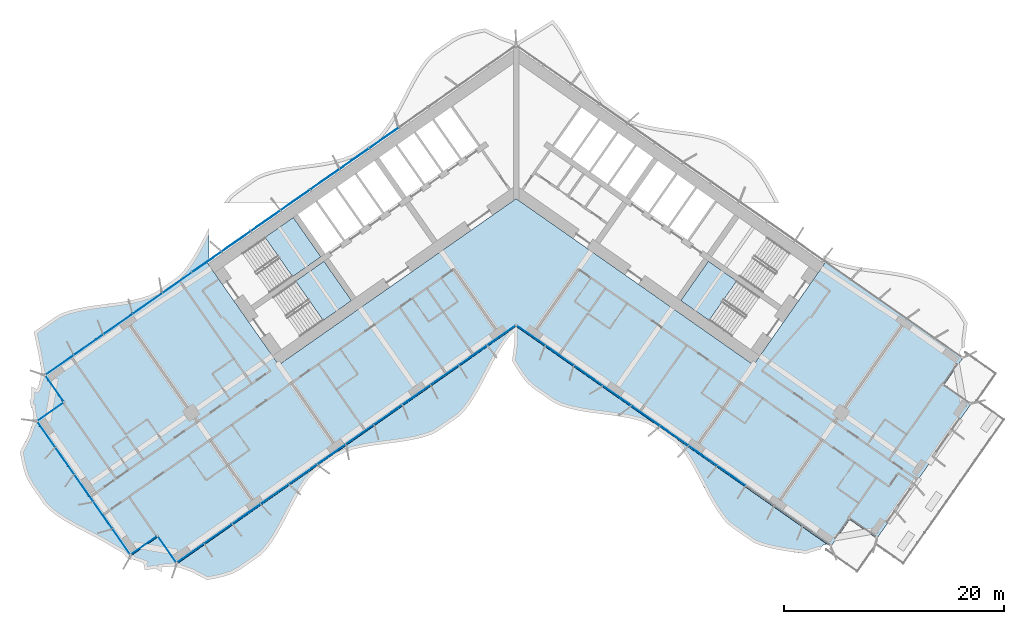
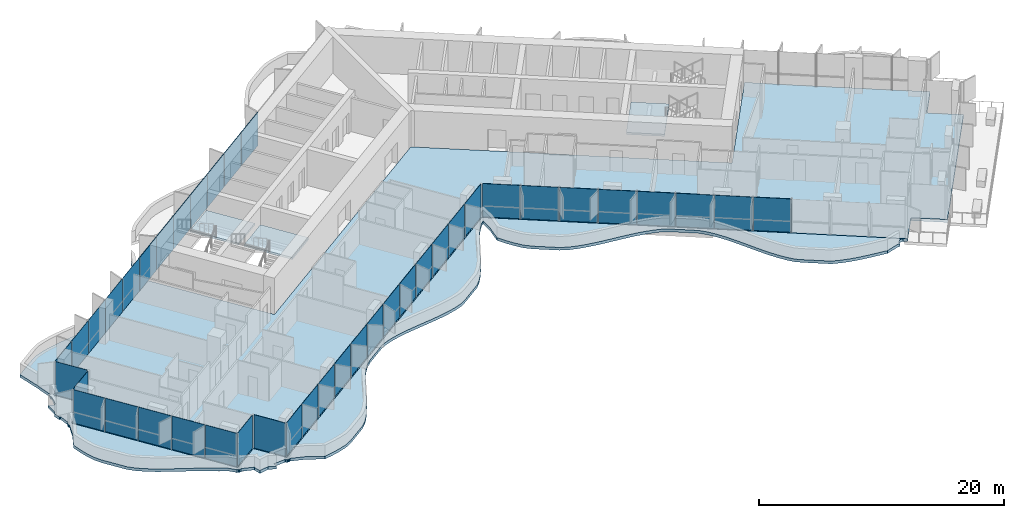
# One storey, part 10 of 25: 41 plates, 5 slabs, 5 elements without a shape of their own.
"""IFC4 building model written with IfcOpenShell, lengths in metres."""

from ifc_helpers import new_model, si_unit, direction, frame, origin, origin_2d, place, context, subcontext, project, spatial, polyline, rectangle, outline, extrude, material, layer, layer_set, type_object, element, aggregate, save


model = new_model("IFC4")

# Units and contexts
model_context = context("Model", 3, precision=1e-05, world=origin(), true_north=direction((0.0, 1.0)))
body_context = subcontext(model_context, "Body", "Model", "MODEL_VIEW")
ifc_project = project(units=[si_unit("LENGTHUNIT", "METRE"), si_unit("AREAUNIT", "SQUARE_METRE"), si_unit("VOLUMEUNIT", "CUBIC_METRE"), si_unit("PLANEANGLEUNIT", "RADIAN"), si_unit("MASSUNIT", "GRAM", prefix="KILO")], contexts=[model_context])

# Site, building, storey
site_placement = place(None, origin())
site = spatial("IfcSite", under=ifc_project, at=site_placement, CompositionType="ELEMENT")
building_placement = place(site_placement, origin())
building = spatial("IfcBuilding", under=site, at=building_placement, Name="Tel Ilan Convention Tower", CompositionType="ELEMENT")
storey_placement = place(building_placement, frame((0.0, 0.0, 76.10009765625)))
storey = spatial("IfcBuildingStorey", under=building, at=storey_placement, Name="L14", CompositionType="ELEMENT", Elevation=76.10009765625)

# Curtain wall, plates
ifc_material_1 = material(Name="Aluminium, bronze anodised", Category="aluminium")
curtain_wall_type_1 = type_object("IfcCurtainWallType", Name="CW1 UNITISED CURTAIN WALL, HOTEL TINTED GLASS", PredefinedType="NOTDEFINED", material=ifc_material_1)
curtain_wall_1_placement = place(storey_placement, origin())
curtain_wall_1 = element("IfcCurtainWall", 1, at=curtain_wall_1_placement, inside=storey, type_object=curtain_wall_type_1, Name="Curtain wall CW1-14.06", PredefinedType="NOTDEFINED")
ifc_material_2 = material(Name="Glass, bronze tinted, two-ply unitised", Category="glass")
ifc_layer_1 = layer(ifc_material_2, 0.028076171875)
ifc_layer_set_1 = layer_set([ifc_layer_1], Name="CW HOTEL GLASS PANEL 28")
plate_type_1 = type_object("IfcPlateType", Name="CW HOTEL GLASS PANEL 28", PredefinedType="CURTAIN_PANEL", material=ifc_layer_set_1)
plate_1_placement = place(storey_placement, frame((-30.765869140625, -8.846435546875, 0.0), z_axis=(0.0, 0.0, 1.0), x_axis=(-0.819152044289, -0.573576436351, 0.0)))
plate_1 = element("IfcPlate", 2, at=plate_1_placement, type_object=plate_type_1, Name="Glass panel", PredefinedType="CURTAIN_PANEL", context=body_context, shape_type="SweptSolid", body=[
    extrude(rectangle(XDim=3.2119140625, YDim=0.028076171875, at=origin_2d()), origin(), (0.0, 0.0, 1.0), 3.320068359375),
])
plate_2_placement = place(storey_placement, frame((-33.446044921875, -10.72314453125, 0.0), z_axis=(0.0, 0.0, 1.0), x_axis=(-0.819152044289, -0.573576436351, 0.0)))
plate_2 = element("IfcPlate", 3, at=plate_2_placement, type_object=plate_type_1, Name="Glass panel", PredefinedType="CURTAIN_PANEL", context=body_context, shape_type="SweptSolid", body=[
    extrude(rectangle(XDim=3.2119140625, YDim=0.028076171875, at=origin_2d()), origin(), (0.0, 0.0, 1.0), 3.320068359375),
])
plate_3_placement = place(storey_placement, frame((-36.12646484375, -12.599853515625, 0.0), z_axis=(0.0, 0.0, 1.0), x_axis=(-0.819152044289, -0.573576436351, 0.0)))
plate_3 = element("IfcPlate", 4, at=plate_3_placement, type_object=plate_type_1, Name="Glass panel", PredefinedType="CURTAIN_PANEL", context=body_context, shape_type="SweptSolid", body=[
    extrude(rectangle(XDim=3.2119140625, YDim=0.028076171875, at=origin_2d()), origin(), (0.0, 0.0, 1.0), 3.320068359375),
])
plate_4_placement = place(storey_placement, frame((-38.806640625, -14.4765625, 0.0), z_axis=(0.0, 0.0, 1.0), x_axis=(-0.819152044289, -0.573576436351, 0.0)))
plate_4 = element("IfcPlate", 5, at=plate_4_placement, type_object=plate_type_1, Name="Glass panel", PredefinedType="CURTAIN_PANEL", context=body_context, shape_type="SweptSolid", body=[
    extrude(rectangle(XDim=3.2119140625, YDim=0.028076171875, at=origin_2d()), origin(), (0.0, 0.0, 1.0), 3.320068359375),
])
plate_5_placement = place(storey_placement, frame((-41.448486328125, -16.326416015625, 0.0), z_axis=(0.0, 0.0, 1.0), x_axis=(-0.819152044289, -0.573576436351, 0.0)))
plate_5 = element("IfcPlate", 6, at=plate_5_placement, type_object=plate_type_1, Name="Glass panel", PredefinedType="CURTAIN_PANEL", context=body_context, shape_type="SweptSolid", body=[
    extrude(rectangle(XDim=3.117919921875, YDim=0.028076171875, at=origin_2d()), origin(), (0.0, 0.0, 1.0), 3.320068359375),
])
plate_6_placement = place(storey_placement, frame((-41.90673828125, -18.431640625, 0.0), z_axis=(0.0, 0.0, 1.0), x_axis=(0.573576436351, -0.819152044289, 0.0)))
plate_6 = element("IfcPlate", 7, at=plate_6_placement, type_object=plate_type_1, Name="Glass panel", PredefinedType="CURTAIN_PANEL", context=body_context, shape_type="SweptSolid", body=[
    extrude(rectangle(XDim=2.875, YDim=0.028076171875, at=origin_2d()), origin(), (0.0, 0.0, 1.0), 3.320068359375),
])
plate_7_placement = place(storey_placement, frame((-42.28466796875, -20.57421875, 0.0), z_axis=(0.0, 0.0, 1.0), x_axis=(-0.819152044289, -0.573576436351, 0.0)))
plate_7 = element("IfcPlate", 8, at=plate_7_placement, type_object=plate_type_1, Name="Glass panel", PredefinedType="CURTAIN_PANEL", context=body_context, shape_type="SweptSolid", body=[
    extrude(rectangle(XDim=2.875, YDim=0.028076171875, at=origin_2d()), origin(), (0.0, 0.0, 1.0), 3.320068359375),
])
plate_8_placement = place(storey_placement, frame((-42.65185546875, -22.597900390625, 0.0), z_axis=(0.0, 0.0, 1.0), x_axis=(0.573576436351, -0.819152044289, 0.0)))
plate_8 = element("IfcPlate", 9, at=plate_8_placement, type_object=plate_type_1, Name="Glass panel", PredefinedType="CURTAIN_PANEL", context=body_context, shape_type="SweptSolid", body=[
    extrude(rectangle(XDim=2.845947265625, YDim=0.028076171875, at=origin_2d()), origin(), (0.0, 0.0, 1.0), 3.320068359375),
])
plate_9_placement = place(storey_placement, frame((-40.9580078125, -25.016845703125, 0.0), z_axis=(0.0, 0.0, 1.0), x_axis=(0.573576436351, -0.819152044289, 0.0)))
plate_9 = element("IfcPlate", 10, at=plate_9_placement, type_object=plate_type_1, Name="Glass panel", PredefinedType="CURTAIN_PANEL", context=body_context, shape_type="SweptSolid", body=[
    extrude(rectangle(XDim=2.93994140625, YDim=0.028076171875, at=origin_2d()), origin(), (0.0, 0.0, 1.0), 3.320068359375),
])
plate_10_placement = place(storey_placement, frame((-39.2373046875, -27.474365234375, 0.0), z_axis=(0.0, 0.0, 1.0), x_axis=(0.573576436351, -0.819152044289, 0.0)))
plate_10 = element("IfcPlate", 11, at=plate_10_placement, type_object=plate_type_1, Name="Glass panel", PredefinedType="CURTAIN_PANEL", context=body_context, shape_type="SweptSolid", body=[
    extrude(rectangle(XDim=2.93994140625, YDim=0.028076171875, at=origin_2d()), origin(), (0.0, 0.0, 1.0), 3.320068359375),
])
plate_11_placement = place(storey_placement, frame((-37.5166015625, -29.931884765625, 0.0), z_axis=(0.0, 0.0, 1.0), x_axis=(0.573576436351, -0.819152044289, 0.0)))
plate_11 = element("IfcPlate", 12, at=plate_11_placement, type_object=plate_type_1, Name="Glass panel", PredefinedType="CURTAIN_PANEL", context=body_context, shape_type="SweptSolid", body=[
    extrude(rectangle(XDim=2.93994140625, YDim=0.028076171875, at=origin_2d()), origin(), (0.0, 0.0, 1.0), 3.320068359375),
])
plate_12_placement = place(storey_placement, frame((-35.822998046875, -32.350830078125, 0.0), z_axis=(0.0, 0.0, 1.0), x_axis=(0.573576436351, -0.819152044289, 0.0)))
plate_12 = element("IfcPlate", 13, at=plate_12_placement, type_object=plate_type_1, Name="Glass panel", PredefinedType="CURTAIN_PANEL", context=body_context, shape_type="SweptSolid", body=[
    extrude(rectangle(XDim=2.845947265625, YDim=0.028076171875, at=origin_2d()), origin(), (0.0, 0.0, 1.0), 3.320068359375),
])
plate_13_placement = place(storey_placement, frame((-33.795654296875, -32.69775390625, 0.0), z_axis=(0.0, 0.0, 1.0), x_axis=(0.819152044289, 0.573576436351, 0.0)))
plate_13 = element("IfcPlate", 14, at=plate_13_placement, type_object=plate_type_1, Name="Glass panel", PredefinedType="CURTAIN_PANEL", context=body_context, shape_type="SweptSolid", body=[
    extrude(rectangle(XDim=2.875, YDim=0.028076171875, at=origin_2d()), origin(), (0.0, 0.0, 1.0), 3.320068359375),
])
plate_14_placement = place(storey_placement, frame((-31.653076171875, -33.07568359375, 0.0), z_axis=(0.0, 0.0, 1.0), x_axis=(0.573576436351, -0.819152044289, 0.0)))
plate_14 = element("IfcPlate", 15, at=plate_14_placement, type_object=plate_type_1, Name="Glass panel", PredefinedType="CURTAIN_PANEL", context=body_context, shape_type="SweptSolid", body=[
    extrude(rectangle(XDim=2.875, YDim=0.028076171875, at=origin_2d()), origin(), (0.0, 0.0, 1.0), 3.320068359375),
])
plate_15_placement = place(storey_placement, frame((-29.5732421875, -33.4033203125, 0.0), z_axis=(0.0, 0.0, 1.0), x_axis=(0.819152044289, 0.573576436351, 0.0)))
plate_15 = element("IfcPlate", 16, at=plate_15_placement, type_object=plate_type_1, Name="Glass panel", PredefinedType="CURTAIN_PANEL", context=body_context, shape_type="SweptSolid", body=[
    extrude(rectangle(XDim=2.9833984375, YDim=0.028076171875, at=origin_2d()), origin(), (0.0, 0.0, 1.0), 3.320068359375),
])
plate_16_placement = place(storey_placement, frame((-27.041748046875, -31.630859375, 0.0), z_axis=(0.0, 0.0, 1.0), x_axis=(0.819152044289, 0.573576436351, 0.0)))
plate_16 = element("IfcPlate", 17, at=plate_16_placement, type_object=plate_type_1, Name="Glass panel", PredefinedType="CURTAIN_PANEL", context=body_context, shape_type="SweptSolid", body=[
    extrude(rectangle(XDim=3.077392578125, YDim=0.028076171875, at=origin_2d()), origin(), (0.0, 0.0, 1.0), 3.320068359375),
])
plate_17_placement = place(storey_placement, frame((-24.4716796875, -29.831298828125, 0.0), z_axis=(0.0, 0.0, 1.0), x_axis=(0.819152044289, 0.573576436351, 0.0)))
plate_17 = element("IfcPlate", 18, at=plate_17_placement, type_object=plate_type_1, Name="Glass panel", PredefinedType="CURTAIN_PANEL", context=body_context, shape_type="SweptSolid", body=[
    extrude(rectangle(XDim=3.077392578125, YDim=0.028076171875, at=origin_2d()), origin(), (0.0, 0.0, 1.0), 3.320068359375),
])
plate_18_placement = place(storey_placement, frame((-21.90185546875, -28.031982421875, 0.0), z_axis=(0.0, 0.0, 1.0), x_axis=(0.819152044289, 0.573576436351, 0.0)))
plate_18 = element("IfcPlate", 19, at=plate_18_placement, type_object=plate_type_1, Name="Glass panel", PredefinedType="CURTAIN_PANEL", context=body_context, shape_type="SweptSolid", body=[
    extrude(rectangle(XDim=3.077392578125, YDim=0.028076171875, at=origin_2d()), origin(), (0.0, 0.0, 1.0), 3.320068359375),
])
plate_19_placement = place(storey_placement, frame((-19.33203125, -26.232421875, 0.0), z_axis=(0.0, 0.0, 1.0), x_axis=(0.819152044289, 0.573576436351, 0.0)))
plate_19 = element("IfcPlate", 20, at=plate_19_placement, type_object=plate_type_1, Name="Glass panel", PredefinedType="CURTAIN_PANEL", context=body_context, shape_type="SweptSolid", body=[
    extrude(rectangle(XDim=3.077392578125, YDim=0.028076171875, at=origin_2d()), origin(), (0.0, 0.0, 1.0), 3.320068359375),
])
plate_20_placement = place(storey_placement, frame((-16.761962890625, -24.432861328125, 0.0), z_axis=(0.0, 0.0, 1.0), x_axis=(0.819152044289, 0.573576436351, 0.0)))
plate_20 = element("IfcPlate", 21, at=plate_20_placement, type_object=plate_type_1, Name="Glass panel", PredefinedType="CURTAIN_PANEL", context=body_context, shape_type="SweptSolid", body=[
    extrude(rectangle(XDim=3.077392578125, YDim=0.028076171875, at=origin_2d()), origin(), (0.0, 0.0, 1.0), 3.320068359375),
])
plate_21_placement = place(storey_placement, frame((-14.192138671875, -22.633544921875, 0.0), z_axis=(0.0, 0.0, 1.0), x_axis=(0.819152044289, 0.573576436351, 0.0)))
plate_21 = element("IfcPlate", 22, at=plate_21_placement, type_object=plate_type_1, Name="Glass panel", PredefinedType="CURTAIN_PANEL", context=body_context, shape_type="SweptSolid", body=[
    extrude(rectangle(XDim=3.077392578125, YDim=0.028076171875, at=origin_2d()), origin(), (0.0, 0.0, 1.0), 3.320068359375),
])
plate_22_placement = place(storey_placement, frame((-11.6220703125, -20.833984375, 0.0), z_axis=(0.0, 0.0, 1.0), x_axis=(0.819152044289, 0.573576436351, 0.0)))
plate_22 = element("IfcPlate", 23, at=plate_22_placement, type_object=plate_type_1, Name="Glass panel", PredefinedType="CURTAIN_PANEL", context=body_context, shape_type="SweptSolid", body=[
    extrude(rectangle(XDim=3.077392578125, YDim=0.028076171875, at=origin_2d()), origin(), (0.0, 0.0, 1.0), 3.320068359375),
])
plate_23_placement = place(storey_placement, frame((-9.05224609375, -19.034423828125, 0.0), z_axis=(0.0, 0.0, 1.0), x_axis=(0.819152044289, 0.573576436351, 0.0)))
plate_23 = element("IfcPlate", 24, at=plate_23_placement, type_object=plate_type_1, Name="Glass panel", PredefinedType="CURTAIN_PANEL", context=body_context, shape_type="SweptSolid", body=[
    extrude(rectangle(XDim=3.077392578125, YDim=0.028076171875, at=origin_2d()), origin(), (0.0, 0.0, 1.0), 3.320068359375),
])
plate_24_placement = place(storey_placement, frame((-6.482177734375, -17.23486328125, 0.0), z_axis=(0.0, 0.0, 1.0), x_axis=(0.819152044289, 0.573576436351, 0.0)))
plate_24 = element("IfcPlate", 25, at=plate_24_placement, type_object=plate_type_1, Name="Glass panel", PredefinedType="CURTAIN_PANEL", context=body_context, shape_type="SweptSolid", body=[
    extrude(rectangle(XDim=3.077392578125, YDim=0.028076171875, at=origin_2d()), origin(), (0.0, 0.0, 1.0), 3.320068359375),
])
plate_25_placement = place(storey_placement, frame((-3.912353515625, -15.435546875, 0.0), z_axis=(0.0, 0.0, 1.0), x_axis=(0.819152044289, 0.573576436351, 0.0)))
plate_25 = element("IfcPlate", 26, at=plate_25_placement, type_object=plate_type_1, Name="Glass panel", PredefinedType="CURTAIN_PANEL", context=body_context, shape_type="SweptSolid", body=[
    extrude(rectangle(XDim=3.077392578125, YDim=0.028076171875, at=origin_2d()), origin(), (0.0, 0.0, 1.0), 3.320068359375),
])
plate_26_placement = place(storey_placement, frame((-1.3427734375, -13.63623046875, 0.0), z_axis=(0.0, 0.0, 1.0), x_axis=(0.819152044289, 0.573576436351, 0.0)))
plate_26 = element("IfcPlate", 27, at=plate_26_placement, type_object=plate_type_1, Name="Glass panel", PredefinedType="CURTAIN_PANEL", context=body_context, shape_type="SweptSolid", body=[
    extrude(rectangle(XDim=3.076416015625, YDim=0.028076171875, at=origin_2d()), origin(), (0.0, 0.0, 1.0), 3.320068359375),
])
plate_27_placement = place(storey_placement, frame((1.366943359375, -13.653076171875, 0.0), z_axis=(0.0, 0.0, 1.0), x_axis=(0.819152044289, -0.573576436351, 0.0)))
plate_27 = element("IfcPlate", 28, at=plate_27_placement, type_object=plate_type_1, Name="Glass panel", PredefinedType="CURTAIN_PANEL", context=body_context, shape_type="SweptSolid", body=[
    extrude(rectangle(XDim=3.078857421875, YDim=0.028076171875, at=origin_2d()), origin(), (0.0, 0.0, 1.0), 3.320068359375),
])
plate_28_placement = place(storey_placement, frame((3.949951171875, -15.4619140625, 0.0), z_axis=(0.0, 0.0, 1.0), x_axis=(0.819152044289, -0.573576436351, 0.0)))
plate_28 = element("IfcPlate", 29, at=plate_28_placement, type_object=plate_type_1, Name="Glass panel", PredefinedType="CURTAIN_PANEL", context=body_context, shape_type="SweptSolid", body=[
    extrude(rectangle(XDim=3.10791015625, YDim=0.028076171875, at=origin_2d()), origin(), (0.0, 0.0, 1.0), 3.320068359375),
])
plate_29_placement = place(storey_placement, frame((6.544921875, -17.27880859375, 0.0), z_axis=(0.0, 0.0, 1.0), x_axis=(0.819152044289, -0.573576436351, 0.0)))
plate_29 = element("IfcPlate", 30, at=plate_29_placement, type_object=plate_type_1, Name="Glass panel", PredefinedType="CURTAIN_PANEL", context=body_context, shape_type="SweptSolid", body=[
    extrude(rectangle(XDim=3.10791015625, YDim=0.028076171875, at=origin_2d()), origin(), (0.0, 0.0, 1.0), 3.320068359375),
])
plate_30_placement = place(storey_placement, frame((9.14013671875, -19.095947265625, 0.0), z_axis=(0.0, 0.0, 1.0), x_axis=(0.819152044289, -0.573576436351, 0.0)))
plate_30 = element("IfcPlate", 31, at=plate_30_placement, type_object=plate_type_1, Name="Glass panel", PredefinedType="CURTAIN_PANEL", context=body_context, shape_type="SweptSolid", body=[
    extrude(rectangle(XDim=3.10791015625, YDim=0.028076171875, at=origin_2d()), origin(), (0.0, 0.0, 1.0), 3.320068359375),
])
plate_31_placement = place(storey_placement, frame((11.735107421875, -20.9130859375, 0.0), z_axis=(0.0, 0.0, 1.0), x_axis=(0.819152044289, -0.573576436351, 0.0)))
plate_31 = element("IfcPlate", 32, at=plate_31_placement, type_object=plate_type_1, Name="Glass panel", PredefinedType="CURTAIN_PANEL", context=body_context, shape_type="SweptSolid", body=[
    extrude(rectangle(XDim=3.10791015625, YDim=0.028076171875, at=origin_2d()), origin(), (0.0, 0.0, 1.0), 3.320068359375),
])
plate_32_placement = place(storey_placement, frame((14.330078125, -22.730224609375, 0.0), z_axis=(0.0, 0.0, 1.0), x_axis=(0.819152044289, -0.573576436351, 0.0)))
plate_32 = element("IfcPlate", 33, at=plate_32_placement, type_object=plate_type_1, Name="Glass panel", PredefinedType="CURTAIN_PANEL", context=body_context, shape_type="SweptSolid", body=[
    extrude(rectangle(XDim=3.10791015625, YDim=0.028076171875, at=origin_2d()), origin(), (0.0, 0.0, 1.0), 3.320068359375),
])
plate_33_placement = place(storey_placement, frame((16.92529296875, -24.54736328125, 0.0), z_axis=(0.0, 0.0, 1.0), x_axis=(0.819152044289, -0.573576436351, 0.0)))
plate_33 = element("IfcPlate", 34, at=plate_33_placement, type_object=plate_type_1, Name="Glass panel", PredefinedType="CURTAIN_PANEL", context=body_context, shape_type="SweptSolid", body=[
    extrude(rectangle(XDim=3.10791015625, YDim=0.028076171875, at=origin_2d()), origin(), (0.0, 0.0, 1.0), 3.320068359375),
])
plate_34_placement = place(storey_placement, frame((19.520263671875, -26.3642578125, 0.0), z_axis=(0.0, 0.0, 1.0), x_axis=(0.819152044289, -0.573576436351, 0.0)))
plate_34 = element("IfcPlate", 35, at=plate_34_placement, type_object=plate_type_1, Name="Glass panel", PredefinedType="CURTAIN_PANEL", context=body_context, shape_type="SweptSolid", body=[
    extrude(rectangle(XDim=3.10791015625, YDim=0.028076171875, at=origin_2d()), origin(), (0.0, 0.0, 1.0), 3.320068359375),
])
aggregate(curtain_wall_1, [plate_1, plate_2, plate_3, plate_4, plate_5, plate_6, plate_7, plate_8, plate_9, plate_10, plate_11, plate_12, plate_13, plate_14, plate_15, plate_16, plate_17, plate_18, plate_19, plate_20, plate_21, plate_22, plate_23, plate_24, plate_25, plate_26, plate_27, plate_28, plate_29, plate_30, plate_31, plate_32, plate_33, plate_34])

ifc_material_3 = material(Name="Aluminium, bronze anodised", Category="aluminium")
curtain_wall_type_2 = type_object("IfcCurtainWallType", Name="CW2 STICK CURTAIN WALL, SPANDREL PANELS", PredefinedType="NOTDEFINED", material=ifc_material_3)
curtain_wall_2_placement = place(storey_placement, origin())
curtain_wall_2 = element("IfcCurtainWall", 36, at=curtain_wall_2_placement, inside=storey, type_object=curtain_wall_type_2, Name="Curtain wall CW2-14.05", PredefinedType="NOTDEFINED")
ifc_material_4 = material(Name="Aluminium composite panel, bronze anodised", Category="aluminium")
ifc_layer_2 = layer(ifc_material_4, 0.06005859375)
ifc_layer_set_2 = layer_set([ifc_layer_2], Name="CW SPANDREL PANEL 60")
plate_type_2 = type_object("IfcPlateType", Name="CW SPANDREL PANEL 60", PredefinedType="CURTAIN_PANEL", material=ifc_layer_set_2)
plate_35_placement = place(storey_placement, frame((-12.00390625, 4.290771484375, 0.0), z_axis=(0.0, 0.0, 1.0), x_axis=(-0.819152044289, -0.573576436351, 0.0)))
plate_35 = element("IfcPlate", 37, at=plate_35_placement, type_object=plate_type_2, Name="Spandrel panel", PredefinedType="CURTAIN_PANEL", context=body_context, shape_type="SweptSolid", body=[
    extrude(rectangle(XDim=3.2119140625, YDim=0.06005859375, at=origin_2d()), origin(), (0.0, 0.0, 1.0), 3.320068359375),
])
plate_36_placement = place(storey_placement, frame((-14.68408203125, 2.4140625, 0.0), z_axis=(0.0, 0.0, 1.0), x_axis=(-0.819152044289, -0.573576436351, 0.0)))
plate_36 = element("IfcPlate", 38, at=plate_36_placement, type_object=plate_type_2, Name="Spandrel panel", PredefinedType="CURTAIN_PANEL", context=body_context, shape_type="SweptSolid", body=[
    extrude(rectangle(XDim=3.2119140625, YDim=0.06005859375, at=origin_2d()), origin(), (0.0, 0.0, 1.0), 3.320068359375),
])
plate_37_placement = place(storey_placement, frame((-17.364501953125, 0.537353515625, 0.0), z_axis=(0.0, 0.0, 1.0), x_axis=(-0.819152044289, -0.573576436351, 0.0)))
plate_37 = element("IfcPlate", 39, at=plate_37_placement, type_object=plate_type_2, Name="Spandrel panel", PredefinedType="CURTAIN_PANEL", context=body_context, shape_type="SweptSolid", body=[
    extrude(rectangle(XDim=3.2119140625, YDim=0.06005859375, at=origin_2d()), origin(), (0.0, 0.0, 1.0), 3.320068359375),
])
plate_38_placement = place(storey_placement, frame((-20.044677734375, -1.33935546875, 0.0), z_axis=(0.0, 0.0, 1.0), x_axis=(-0.819152044289, -0.573576436351, 0.0)))
plate_38 = element("IfcPlate", 40, at=plate_38_placement, type_object=plate_type_2, Name="Spandrel panel", PredefinedType="CURTAIN_PANEL", context=body_context, shape_type="SweptSolid", body=[
    extrude(rectangle(XDim=3.2119140625, YDim=0.06005859375, at=origin_2d()), origin(), (0.0, 0.0, 1.0), 3.320068359375),
])
plate_39_placement = place(storey_placement, frame((-22.72509765625, -3.216064453125, 0.0), z_axis=(0.0, 0.0, 1.0), x_axis=(-0.819152044289, -0.573576436351, 0.0)))
plate_39 = element("IfcPlate", 41, at=plate_39_placement, type_object=plate_type_2, Name="Spandrel panel", PredefinedType="CURTAIN_PANEL", context=body_context, shape_type="SweptSolid", body=[
    extrude(rectangle(XDim=3.2119140625, YDim=0.06005859375, at=origin_2d()), origin(), (0.0, 0.0, 1.0), 3.320068359375),
])
plate_40_placement = place(storey_placement, frame((-25.4052734375, -5.0927734375, 0.0), z_axis=(0.0, 0.0, 1.0), x_axis=(-0.819152044289, -0.573576436351, 0.0)))
plate_40 = element("IfcPlate", 42, at=plate_40_placement, type_object=plate_type_2, Name="Spandrel panel", PredefinedType="CURTAIN_PANEL", context=body_context, shape_type="SweptSolid", body=[
    extrude(rectangle(XDim=3.2119140625, YDim=0.06005859375, at=origin_2d()), origin(), (0.0, 0.0, 1.0), 3.320068359375),
])
plate_41_placement = place(storey_placement, frame((-28.08544921875, -6.9697265625, 0.0), z_axis=(0.0, 0.0, 1.0), x_axis=(-0.819152044289, -0.573576436351, 0.0)))
plate_41 = element("IfcPlate", 43, at=plate_41_placement, type_object=plate_type_2, Name="Spandrel panel", PredefinedType="CURTAIN_PANEL", context=body_context, shape_type="SweptSolid", body=[
    extrude(rectangle(XDim=3.2119140625, YDim=0.06005859375, at=origin_2d()), origin(), (0.0, 0.0, 1.0), 3.320068359375),
])
aggregate(curtain_wall_2, [plate_35, plate_36, plate_37, plate_38, plate_39, plate_40, plate_41])

# Stair, slab
ifc_material_5 = material(Name="Concrete C40/50", Category="concrete")
stair_type = type_object("IfcStairType", Name="Pressurised Exit Stair 20 risers 180 mm", PredefinedType="HALF_TURN_STAIR", material=ifc_material_5)
stair_1_placement = place(storey_placement, origin())
stair_1 = element("IfcStair", 44, at=stair_1_placement, inside=storey, type_object=stair_type, Name="L14 Pressurised Stair S1", PredefinedType="HALF_TURN_STAIR")
ifc_material_6 = material(Name="Concrete C40/50", Category="concrete")
ifc_layer_3 = layer(ifc_material_6, 0.199951171875)
ifc_layer_set_3 = layer_set([ifc_layer_3], Name="Concrete Stair Landing 200 mm C40/50")
slab_type_1 = type_object("IfcSlabType", Name="Concrete Stair Landing 200 mm", PredefinedType="LANDING", material=ifc_layer_set_3)
slab_1_placement = place(storey_placement, frame((0.0, 0.0, 1.599853515625)))
slab_1 = element("IfcSlab", 45, at=slab_1_placement, type_object=slab_type_1, Name="S1 landing 1", PredefinedType="LANDING", context=body_context, shape_type="SweptSolid", body=[
    extrude(outline(polyline([(-20.2958984375, -8.29052734375), (-17.7314453125, -6.494873046875), (-20.226318359375, -2.931640625), (-22.791015625, -4.727294921875), (-20.2958984375, -8.29052734375)])), origin(), (0.0, 0.0, 1.0), 0.199951171875),
])
aggregate(stair_1, [slab_1])

stair_2_placement = place(storey_placement, origin())
stair_2 = element("IfcStair", 46, at=stair_2_placement, inside=storey, type_object=stair_type, Name="L14 Pressurised Stair S2", PredefinedType="HALF_TURN_STAIR")
slab_2_placement = place(storey_placement, frame((0.0, 0.0, 1.599853515625)))
slab_2 = element("IfcSlab", 47, at=slab_2_placement, type_object=slab_type_1, Name="S2 landing 1", PredefinedType="LANDING", context=body_context, shape_type="SweptSolid", body=[
    extrude(outline(polyline([(-17.51416015625, -12.263427734375), (-14.949462890625, -10.4677734375), (-17.444580078125, -6.904541015625), (-20.00927734375, -8.7001953125), (-17.51416015625, -12.263427734375)])), origin(), (0.0, 0.0, 1.0), 0.199951171875),
])
aggregate(stair_2, [slab_2])

stair_3_placement = place(storey_placement, origin())
stair_3 = element("IfcStair", 48, at=stair_3_placement, inside=storey, type_object=stair_type, Name="L14 Pressurised Stair S4", PredefinedType="HALF_TURN_STAIR")
slab_3_placement = place(storey_placement, frame((0.0, 0.0, 1.599853515625)))
slab_3 = element("IfcSlab", 49, at=slab_3_placement, type_object=slab_type_1, Name="S4 landing 1", PredefinedType="LANDING", context=body_context, shape_type="SweptSolid", body=[
    extrude(outline(polyline([(20.00927734375, -8.7001953125), (17.444580078125, -6.904541015625), (14.949462890625, -10.4677734375), (17.51416015625, -12.263427734375), (20.00927734375, -8.7001953125)])), origin(), (0.0, 0.0, 1.0), 0.199951171875),
])
aggregate(stair_3, [slab_3])

# Slabs
ifc_material_7 = material(Name="Concrete C40/50", Category="concrete")
ifc_layer_4 = layer(ifc_material_7, 0.280029296875)
ifc_layer_set_4 = layer_set([ifc_layer_4], Name="Edge Ledge Slab 280 mm C40/50")
slab_type_2 = type_object("IfcSlabType", Name="Edge Ledge Slab 280 mm C40/50", PredefinedType="FLOOR", material=ifc_layer_set_4)
slab_4_placement = place(storey_placement, frame((0.0, 0.0, -0.280029296875)))
element("IfcSlab", 50, at=slab_4_placement, inside=storey, type_object=slab_type_2, Name="L14 edge ledge 1", PredefinedType="FLOOR", context=body_context, shape_type="SweptSolid", body=[
    extrude(outline(polyline([(24.635986328125, -33.218994140625), (23.824462890625, -33.08544921875), (23.03662109375, -32.91748046875), (22.281005859375, -32.7041015625), (21.564697265625, -32.434814453125), (19.742431640625, -31.158935546875), (19.1513671875, -30.71044921875), (18.660888671875, -30.1181640625), (18.2080078125, -29.47216796875), (17.785888671875, -28.782470703125), (17.38623046875, -28.060546875), (16.999755859375, -27.31982421875), (16.61669921875, -26.574462890625), (16.2265625, -25.838623046875), (15.8203125, -25.12646484375), (15.388427734375, -24.450439453125), (14.92333984375, -23.822021484375), (14.404296875, -23.2705078125), (13.797119140625, -22.84521484375), (12.58251953125, -21.99462890625), (11.9423828125, -21.61572265625), (11.211669921875, -21.366943359375), (10.444091796875, -21.17041015625), (9.647216796875, -21.015625), (8.829345703125, -20.89111328125), (8.0, -20.782958984375), (7.1689453125, -20.677001953125), (6.34619140625, -20.559326171875), (5.54150390625, -20.416015625), (4.763427734375, -20.234375), (4.02001953125, -20.003662109375), (3.343994140625, -19.676513671875), (1.52197265625, -18.400634765625), (0.964599609375, -17.90380859375), (0.4873046875, -17.293212890625), (0.04541015625, -16.631591796875), (-0.367919921875, -15.928955078125), (-0.153564453125, -14.330078125), (-0.16845703125, -13.315185546875), (-0.422119140625, -13.502197265625), (-0.897216796875, -14.110595703125), (-1.346435546875, -14.75634765625), (-1.765380859375, -15.44482421875), (-2.16259765625, -16.16455078125), (-2.547119140625, -16.90234375), (-2.9287109375, -17.644287109375), (-3.3173828125, -18.37646484375), (-3.722412109375, -19.0849609375), (-4.15283203125, -19.757080078125), (-4.616455078125, -20.38232421875), (-5.134033203125, -20.929931640625), (-6.947998046875, -22.2001953125), (-7.584228515625, -22.57861328125), (-8.311279296875, -22.8271484375), (-9.074951171875, -23.023681640625), (-9.867919921875, -23.178466796875), (-10.681640625, -23.30322265625), (-11.507080078125, -23.4111328125), (-12.334716796875, -23.516357421875), (-13.154296875, -23.6328125), (-13.95654296875, -23.774169921875), (-14.732666015625, -23.952880859375), (-15.474853515625, -24.1796875), (-16.154541015625, -24.495849609375), (-17.96875, -25.76611328125), (-18.531494140625, -26.249267578125), (-19.010009765625, -26.85302734375), (-19.45263671875, -27.5078125), (-19.86669921875, -28.20361328125), (-20.2607421875, -28.927978515625), (-20.643798828125, -29.66748046875), (-21.02587890625, -30.40869140625), (-21.4169921875, -31.13720703125), (-21.826416015625, -31.839599609375), (-22.262939453125, -32.50341796875), (-22.733642578125, -33.117919921875), (-23.27490234375, -33.632080078125), (-25.0888671875, -34.90234375), (-25.74609375, -35.2509765625), (-26.48095703125, -35.488525390625), (-27.250732421875, -35.676025390625), (-28.049560546875, -35.822265625), (-29.47802734375, -35.069091796875), (-30.667236328125, -34.65771484375), (-30.67041015625, -34.653076171875), (-30.724609375, -34.689208984375), (-30.83935546875, -34.7119140625), (-30.9541015625, -34.689208984375), (-31.051513671875, -34.624267578125), (-31.080322265625, -34.580810546875), (-31.0849609375, -34.583984375), (-32.199462890625, -34.66796875), (-32.20068359375, -35.082763671875), (-32.80029296875, -34.77490234375), (-33.688720703125, -34.9423828125), (-33.821533203125, -34.302734375), (-33.810546875, -34.284912109375), (-34.845458984375, -33.921142578125), (-34.8486328125, -33.91650390625), (-34.902587890625, -33.952392578125), (-35.017578125, -33.975341796875), (-35.13232421875, -33.952392578125), (-35.2294921875, -33.887451171875), (-35.258544921875, -33.843994140625), (-35.26318359375, -33.847412109375), (-35.783203125, -33.2958984375), (-36.523681640625, -32.89892578125), (-37.22021484375, -32.470703125), (-37.94970703125, -32.066162109375), (-38.698486328125, -31.6748046875), (-39.452392578125, -31.287353515625), (-40.196533203125, -30.892578125), (-40.91650390625, -30.481201171875), (-41.59912109375, -30.04345703125), (-42.232421875, -29.571533203125), (-42.7802734375, -29.03955078125), (-44.07080078125, -27.1962890625), (-44.438720703125, -26.538330078125), (-44.68408203125, -25.794677734375), (-44.876953125, -25.01416015625), (-45.028564453125, -24.20458984375), (-44.2939453125, -22.77490234375), (-43.866943359375, -21.56005859375), (-43.8623046875, -21.556884765625), (-43.898193359375, -21.502685546875), (-43.921142578125, -21.387939453125), (-43.898193359375, -21.273193359375), (-43.833251953125, -21.17578125), (-43.789794921875, -21.14697265625), (-43.793212890625, -21.142333984375), (-43.909912109375, -20.177978515625), (-44.01318359375, -20.197509765625), (-44.14599609375, -19.55810546875), (-43.9833984375, -19.29150390625), (-43.980224609375, -18.259765625), (-43.50390625, -18.504638671875), (-43.3671875, -18.2802734375), (-43.130126953125, -17.3818359375), (-43.12548828125, -17.378662109375), (-43.16162109375, -17.32470703125), (-43.184326171875, -17.209716796875), (-43.16162109375, -17.094970703125), (-43.096435546875, -16.997802734375), (-43.05322265625, -16.96875), (-43.056396484375, -16.964111328125), (-43.364990234375, -15.219482421875), (-43.78125, -13.321044921875), (-43.168701171875, -12.89208984375), (-41.943603515625, -12.0341796875), (-41.30322265625, -11.64453125), (-40.56787109375, -11.390869140625), (-39.794921875, -11.19091796875), (-38.99169921875, -11.033935546875), (-38.1669921875, -10.90771484375), (-37.33056640625, -10.798583984375), (-36.4921875, -10.69189453125), (-35.66259765625, -10.572998046875), (-34.851318359375, -10.427734375), (-34.067138671875, -10.243408203125), (-33.318603515625, -10.0087890625), (-32.6416015625, -9.671630859375), (-30.8037109375, -8.384765625), (-30.250244140625, -7.87109375), (-29.772216796875, -7.250244140625), (-29.329345703125, -6.57861328125), (-28.91455078125, -5.8671875), (-28.518310546875, -5.129150390625), (-28.131103515625, -4.378173828125), (-27.875, -3.883544921875), (-27.875, -6.7001953125), (-42.884521484375, -17.209716796875), (-41.163818359375, -19.667236328125), (-43.62109375, -21.387939453125), (-35.017578125, -33.67529296875), (-32.56005859375, -31.95458984375), (-30.83935546875, -34.412109375), (0.0, -12.818115234375), (28.2275390625, -32.583251953125), (28.1611328125, -32.57861328125), (28.112060546875, -32.579833984375), (28.0634765625, -32.586181640625), (28.015380859375, -32.596923828125), (27.968994140625, -32.612548828125), (27.92431640625, -32.632568359375), (27.881591796875, -32.65673828125), (27.841552734375, -32.68505859375), (27.804443359375, -32.71728515625), (27.770751953125, -32.7529296875), (27.740478515625, -32.791748046875), (27.714599609375, -32.833251953125), (27.6923828125, -32.877197265625), (27.675048828125, -32.9228515625), (27.662109375, -32.97021484375), (27.65380859375, -33.0185546875), (27.650390625, -33.067626953125), (27.650390625, -33.073486328125), (27.44921875, -33.079345703125), (26.29443359375, -33.435546875), (25.462646484375, -33.3310546875), (24.635986328125, -33.218994140625)])), origin(), (0.0, 0.0, 1.0), 0.280029296875),
])
ifc_material_8 = material(Name="Concrete C40/50", Category="concrete")
ifc_layer_5 = layer(ifc_material_8, 0.280029296875)
ifc_layer_set_5 = layer_set([ifc_layer_5], Name="Flat Plate Floor Slab 280 mm C40/50")
slab_type_3 = type_object("IfcSlabType", Name="Flat Plate Floor Slab 280 mm C40/50", PredefinedType="FLOOR", material=ifc_layer_set_5)
slab_5_placement = place(storey_placement, frame((0.0, 0.0, -0.280029296875)))
element("IfcSlab", 51, at=slab_5_placement, inside=storey, type_object=slab_type_3, Name="L14 floor slab", PredefinedType="FLOOR", context=body_context, shape_type="SweptSolid", body=[
    extrude(outline(polyline([(38.8701171875, -18.061279296875), (41.327392578125, -19.781982421875), (32.723876953125, -32.0693359375), (30.266357421875, -30.3486328125), (28.545654296875, -32.805908203125), (0.0, -12.818115234375), (-30.83935546875, -34.412109375), (-32.56005859375, -31.95458984375), (-35.017578125, -33.67529296875), (-43.62109375, -21.387939453125), (-41.163818359375, -19.667236328125), (-42.884521484375, -17.209716796875), (-28.1396484375, -6.885498046875), (-21.54345703125, -16.3056640625), (0.0, -1.220703125), (21.54345703125, -16.3056640625), (28.1396484375, -6.885498046875), (40.5908203125, -15.603759765625), (38.8701171875, -18.061279296875)])), origin(), (0.0, 0.0, 1.0), 0.280029296875),
])

save(model, "model.ifc")
